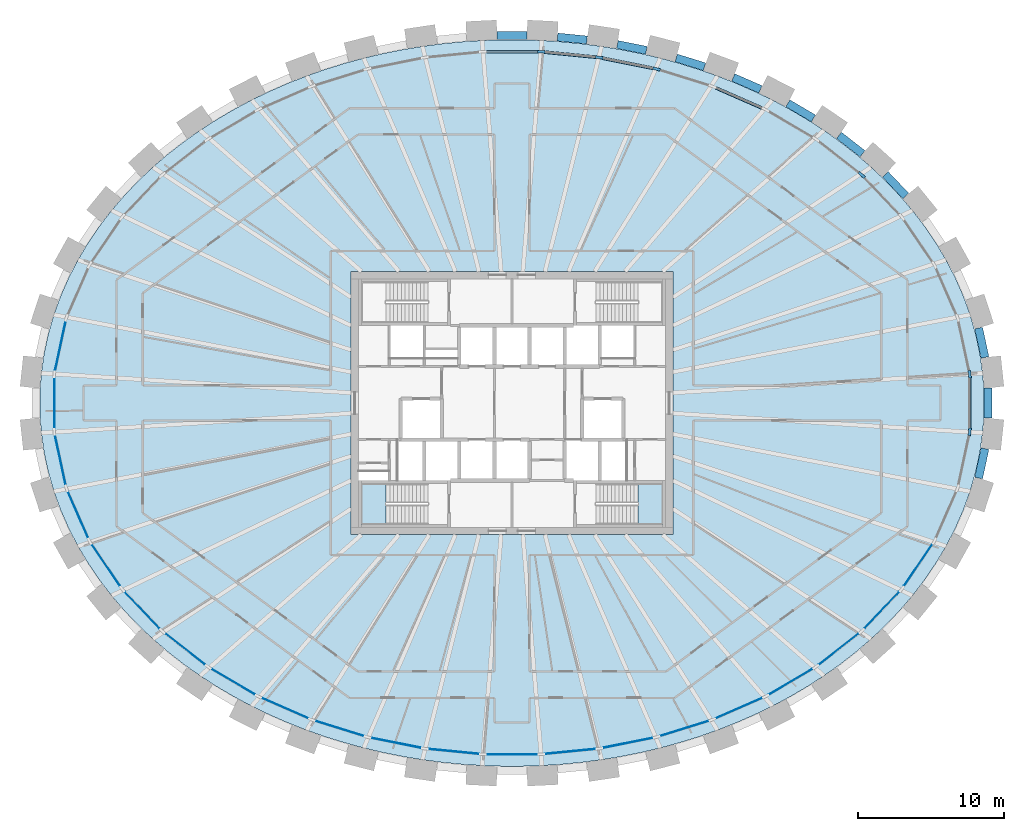
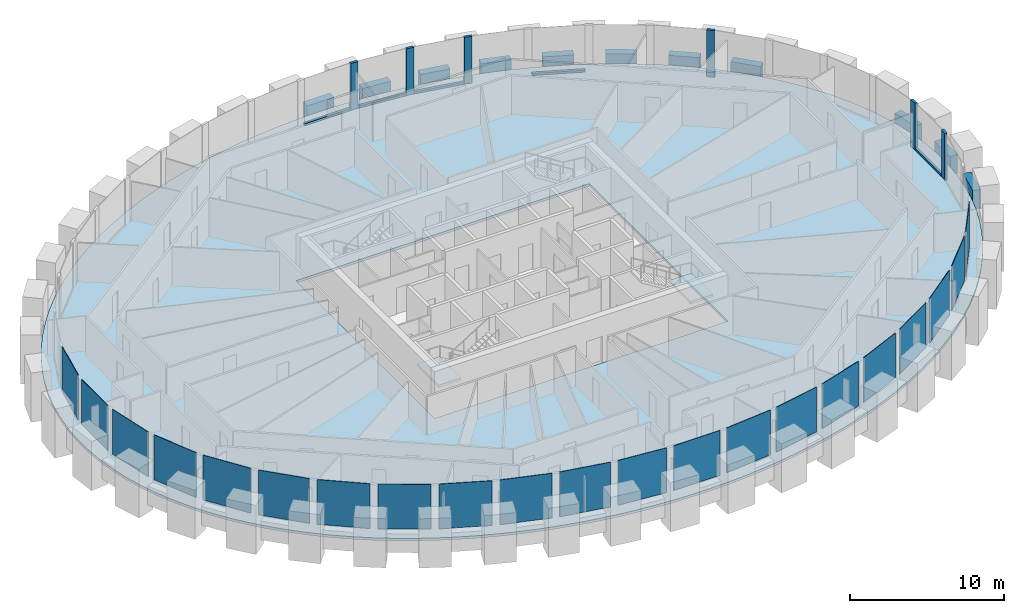
# One storey, part 4 of 12: 21 plates, 11 beams, 11 members, 3 slabs, 3 elements without a shape of their own.
"""IFC4 building model written with IfcOpenShell, lengths in metres."""

from ifc_helpers import new_model, si_unit, direction, frame, origin, origin_2d, place, context, subcontext, project, spatial, polyline, rectangle, outline, extrude, source, transform, mapped, material, layer, layer_set, material_profile, profile_set, type_object, element, aggregate, save


model = new_model("IFC4")

# Units and contexts
model_context = context("Model", 3, precision=1e-05, world=origin(), true_north=direction((0.0, 1.0)))
body_context = subcontext(model_context, "Body", "Model", "MODEL_VIEW")
ifc_project = project(units=[si_unit("LENGTHUNIT", "METRE"), si_unit("AREAUNIT", "SQUARE_METRE"), si_unit("VOLUMEUNIT", "CUBIC_METRE"), si_unit("PLANEANGLEUNIT", "RADIAN"), si_unit("MASSUNIT", "GRAM", prefix="KILO")], contexts=[model_context])

# Site, building, storey
site_placement = place(None, origin())
site = spatial("IfcSite", under=ifc_project, at=site_placement, CompositionType="ELEMENT")
building_placement = place(site_placement, origin())
building = spatial("IfcBuilding", under=site, at=building_placement, Name="Embergate Tower", CompositionType="ELEMENT")
storey_placement = place(building_placement, frame((0.0, 0.0, 265.60009765625)))
storey = spatial("IfcBuildingStorey", under=building, at=storey_placement, Name="L61", CompositionType="ELEMENT", Elevation=265.60009765625)

# Beams
ifc_material_1 = material(Name="Concrete C60", Category="concrete")
ifc_material_profile_1 = material_profile(ifc_material_1, rectangle(XDim=0.550048828125, YDim=1.5, at=origin_2d()), Name="RC 550x1500")
ifc_profile_set_1 = profile_set([ifc_material_profile_1], Name="Concrete C60")
beam_type = type_object("IfcBeamType", Name="Spandrel beam RC 550x1500 C60", PredefinedType="BEAM", material=ifc_profile_set_1)
shared_shape_1 = source(origin(), body_context, "Body", "SweptSolid", [
    extrude(rectangle(XDim=0.550048828125, YDim=1.5, at=origin_2d()), origin(), (0.0, 0.0, 1.0), 2.05810546875),
])
for number, where, z_axis, x_axis, name in (
    (1, (32.343994140625, 3.116943359375, 0.0), (-0.210444450804, 0.977605816843, 0.0), (-0.977605816843, -0.210444450804, 0.0), "SPN-L61-00"),
    (2, (31.910888671875, -5.12890625, 0.0), (0.210444450804, 0.977605816843, 0.0), (-0.977605816843, 0.210444450804, 0.0), "SPN-L61-42"),
    (3, (32.56591796875, -1.029052734375, 0.0), (0.0, 1.0, 0.0), (-1.0, 0.0, 0.0), "SPN-L61-43"),
):
    element("IfcBeam", number, at=place(storey_placement, frame(where, z_axis=z_axis, x_axis=x_axis)), inside=storey, type_object=beam_type, Name=name, PredefinedType="BEAM", context=body_context, shape_type="MappedRepresentation", body=[
        mapped(shared_shape_1, transform((0.0, 0.0, 0.0))),
    ])
shared_shape_2 = source(origin(), body_context, "Body", "SweptSolid", [
    extrude(rectangle(XDim=0.550048828125, YDim=1.5, at=origin_2d()), origin(), (0.0, 0.0, 1.0), 2.042724609375),
])
beam_1_placement = place(storey_placement, frame((26.93505859375, 14.160888671875, 0.0), z_axis=(-0.690299494905, 0.723523743448, 0.0), x_axis=(-0.723523743448, -0.690299494905, 0.0)))
element("IfcBeam", 4, at=beam_1_placement, inside=storey, type_object=beam_type, Name="SPN-L61-03", PredefinedType="BEAM", context=body_context, shape_type="MappedRepresentation", body=[
    mapped(shared_shape_2, transform((0.0, 0.0, 0.0))),
])
shared_shape_3 = source(origin(), body_context, "Body", "SweptSolid", [
    extrude(rectangle(XDim=0.550048828125, YDim=1.5, at=origin_2d()), origin(), (0.0, 0.0, 1.0), 2.038330078125),
])
beam_2_placement = place(storey_placement, frame((23.968994140625, 17.049072265625, 0.0), z_axis=(-0.78838379352, 0.615183707615, 0.0), x_axis=(-0.615183707615, -0.78838379352, 0.0)))
element("IfcBeam", 5, at=beam_2_placement, inside=storey, type_object=beam_type, Name="SPN-L61-04", PredefinedType="BEAM", context=body_context, shape_type="MappedRepresentation", body=[
    mapped(shared_shape_3, transform((0.0, 0.0, 0.0))),
])
shared_shape_4 = source(origin(), body_context, "Body", "SweptSolid", [
    extrude(rectangle(XDim=0.550048828125, YDim=1.5, at=origin_2d()), origin(), (0.0, 0.0, 1.0), 2.0322265625),
])
beam_3_placement = place(storey_placement, frame((20.614013671875, 19.467041015625, 0.0), z_axis=(-0.862048455152, 0.50682586849, 0.0), x_axis=(-0.50682586849, -0.862048455152, 0.0)))
element("IfcBeam", 6, at=beam_3_placement, inside=storey, type_object=beam_type, Name="SPN-L61-05", PredefinedType="BEAM", context=body_context, shape_type="MappedRepresentation", body=[
    mapped(shared_shape_4, transform((0.0, 0.0, 0.0))),
])
shared_shape_5 = source(origin(), body_context, "Body", "SweptSolid", [
    extrude(rectangle(XDim=0.550048828125, YDim=1.5, at=origin_2d()), origin(), (0.0, 0.0, 1.0), 2.03076171875),
])
beam_4_placement = place(storey_placement, frame((16.991943359375, 21.451904296875, 0.0), z_axis=(-0.916361402872, 0.400352069216, 0.0), x_axis=(-0.400352069216, -0.916361402872, 0.0)))
element("IfcBeam", 7, at=beam_4_placement, inside=storey, type_object=beam_type, Name="SPN-L61-06", PredefinedType="BEAM", context=body_context, shape_type="MappedRepresentation", body=[
    mapped(shared_shape_5, transform((0.0, 0.0, 0.0))),
])
shared_shape_6 = source(origin(), body_context, "Body", "SweptSolid", [
    extrude(rectangle(XDim=0.550048828125, YDim=1.5, at=origin_2d()), origin(), (0.0, 0.0, 1.0), 2.02880859375),
])
beam_5_placement = place(storey_placement, frame((13.1640625, 22.9990234375, 0.0), z_axis=(-0.954800624546, 0.297246980417, 0.0), x_axis=(-0.297246980417, -0.954800624546, 0.0)))
element("IfcBeam", 8, at=beam_5_placement, inside=storey, type_object=beam_type, Name="SPN-L61-07", PredefinedType="BEAM", context=body_context, shape_type="MappedRepresentation", body=[
    mapped(shared_shape_6, transform((0.0, 0.0, 0.0))),
])
shared_shape_7 = source(origin(), body_context, "Body", "SweptSolid", [
    extrude(rectangle(XDim=0.550048828125, YDim=1.5, at=origin_2d()), origin(), (0.0, 0.0, 1.0), 2.02734375),
])
beam_6_placement = place(storey_placement, frame((9.19189453125, 24.1220703125, 0.0), z_axis=(-0.980543602706, 0.196301409041, 0.0), x_axis=(-0.196301409041, -0.980543602706, 0.0)))
element("IfcBeam", 9, at=beam_6_placement, inside=storey, type_object=beam_type, Name="SPN-L61-08", PredefinedType="BEAM", context=body_context, shape_type="MappedRepresentation", body=[
    mapped(shared_shape_7, transform((0.0, 0.0, 0.0))),
])
shared_shape_8 = source(origin(), body_context, "Body", "SweptSolid", [
    extrude(rectangle(XDim=0.550048828125, YDim=1.5, at=origin_2d()), origin(), (0.0, 0.0, 1.0), 2.025634765625),
])
beam_7_placement = place(storey_placement, frame((5.126953125, 24.830078125, 0.0), z_axis=(-0.995211067802, 0.097749324935, 0.0), x_axis=(-0.097749324935, -0.995211067802, 0.0)))
element("IfcBeam", 10, at=beam_7_placement, inside=storey, type_object=beam_type, Name="SPN-L61-09", PredefinedType="BEAM", context=body_context, shape_type="MappedRepresentation", body=[
    mapped(shared_shape_8, transform((0.0, 0.0, 0.0))),
])
shared_shape_9 = source(origin(), body_context, "Body", "SweptSolid", [
    extrude(rectangle(XDim=0.550048828125, YDim=1.5, at=origin_2d()), origin(), (0.0, 0.0, 1.0), 2.02587890625),
])
beam_8_placement = place(storey_placement, frame((1.012939453125, 25.131103515625, 0.0), z_axis=(-1.0, 0.0, 0.0), x_axis=(0.0, -1.0, 0.0)))
element("IfcBeam", 11, at=beam_8_placement, inside=storey, type_object=beam_type, Name="SPN-L61-10", PredefinedType="BEAM", context=body_context, shape_type="MappedRepresentation", body=[
    mapped(shared_shape_9, transform((0.0, 0.0, 0.0))),
])

# Curtain wall, members
ifc_material_2 = material(Name="Aluminium and glass", Category="aluminium")
curtain_wall_type = type_object("IfcCurtainWallType", Name="Recessed office glazing", PredefinedType="NOTDEFINED", material=ifc_material_2)
curtain_wall_placement = place(storey_placement, origin())
curtain_wall = element("IfcCurtainWall", 12, at=curtain_wall_placement, inside=storey, type_object=curtain_wall_type, Name="Recessed office glazing ring", ObjectType="RECESSED OFFICE GLAZING", PredefinedType="USERDEFINED")
ifc_material_3 = material(Name="Aluminium, thermally broken", Category="aluminium")
ifc_material_profile_2 = material_profile(ifc_material_3, rectangle(XDim=0.179931640625, YDim=0.52001953125, at=origin_2d()), Name="AL 520x180")
ifc_profile_set_2 = profile_set([ifc_material_profile_2], Name="Aluminium, thermally broken")
member_type_1 = type_object("IfcMemberType", Name="Office mullion", PredefinedType="MULLION", material=ifc_profile_set_2)
shared_shape_10 = source(origin(), body_context, "Body", "SweptSolid", [
    extrude(rectangle(XDim=0.179931640625, YDim=0.52001953125, at=origin_2d()), origin(), (0.0, 0.0, 1.0), 3.699951171875),
])
member_1_placement = place(storey_placement, frame((31.301513671875, 1.971435546875, 0.0), z_axis=(0.0, 0.0, 1.0), x_axis=(-0.994384215926, -0.105830199459, 0.0)))
member_1 = element("IfcMember", 13, at=member_1_placement, type_object=member_type_1, Name="CW mullion 1", PredefinedType="MULLION", context=body_context, shape_type="MappedRepresentation", body=[
    mapped(shared_shape_10, transform((0.0, 0.0, 0.0))),
])
member_2_placement = place(storey_placement, frame((23.9169921875, 15.595703125, 0.0), z_axis=(0.0, 0.0, 1.0), x_axis=(-0.671216184057, -0.741261650337, 0.0)))
member_2 = element("IfcMember", 14, at=member_2_placement, type_object=member_type_1, Name="CW mullion 5", PredefinedType="MULLION", context=body_context, shape_type="MappedRepresentation", body=[
    mapped(shared_shape_10, transform((0.0, 0.0, 0.0))),
])
member_3_placement = place(storey_placement, frame((9.885986328125, 22.844482421875, 0.0), z_axis=(0.0, 0.0, 1.0), x_axis=(-0.24730680803, -0.968937223303, 0.0)))
member_3 = element("IfcMember", 15, at=member_3_placement, type_object=member_type_1, Name="CW mullion 9", PredefinedType="MULLION", context=body_context, shape_type="MappedRepresentation", body=[
    mapped(shared_shape_10, transform((0.0, 0.0, 0.0))),
])
member_4_placement = place(storey_placement, frame((5.9716796875, 23.629638671875, 0.0), z_axis=(0.0, 0.0, 1.0), x_axis=(-0.147408930294, -0.989075632735, 0.0)))
member_4 = element("IfcMember", 16, at=member_4_placement, type_object=member_type_1, Name="CW mullion 10", PredefinedType="MULLION", context=body_context, shape_type="MappedRepresentation", body=[
    mapped(shared_shape_10, transform((0.0, 0.0, 0.0))),
])
member_5_placement = place(storey_placement, frame((1.9970703125, 24.020263671875, 0.0), z_axis=(0.0, 0.0, 1.0), x_axis=(-0.048970053385, -0.998800247232, 0.0)))
member_5 = element("IfcMember", 17, at=member_5_placement, type_object=member_type_1, Name="CW mullion 11", PredefinedType="MULLION", context=body_context, shape_type="MappedRepresentation", body=[
    mapped(shared_shape_10, transform((0.0, 0.0, 0.0))),
])
member_6_placement = place(storey_placement, frame((31.301513671875, -1.971435546875, 0.0), z_axis=(0.0, 0.0, 1.0), x_axis=(-0.994384215926, 0.105830199459, 0.0)))
member_6 = element("IfcMember", 18, at=member_6_placement, type_object=member_type_1, Name="CW mullion 44", PredefinedType="MULLION", context=body_context, shape_type="MappedRepresentation", body=[
    mapped(shared_shape_10, transform((0.0, 0.0, 0.0))),
])
ifc_material_profile_3 = material_profile(ifc_material_3, rectangle(XDim=0.179931640625, YDim=0.14990234375, at=origin_2d()), Name="AL 150x180")
ifc_profile_set_3 = profile_set([ifc_material_profile_3], Name="Aluminium, thermally broken")
member_type_2 = type_object("IfcMemberType", Name="Office sill transom", PredefinedType="USERDEFINED", material=ifc_profile_set_3)
shared_shape_11 = source(origin(), body_context, "Body", "SweptSolid", [
    extrude(rectangle(XDim=0.179931640625, YDim=0.14990234375, at=origin_2d()), origin(), (0.0, 0.0, 1.0), 3.467041015625),
])
member_7_placement = place(storey_placement, frame((17.110595703125, 20.164794921875, 0.074951171875), z_axis=(-0.916217122843, 0.400682148104, 0.0), x_axis=(-0.400682148104, -0.916217122843, 0.0)))
member_7 = element("IfcMember", 19, at=member_7_placement, type_object=member_type_2, Name="CW transom 7.1", ObjectType="TRANSOM", PredefinedType="USERDEFINED", context=body_context, shape_type="MappedRepresentation", body=[
    mapped(shared_shape_11, transform((0.0, 0.0, 0.0))),
])
shared_shape_12 = source(origin(), body_context, "Body", "SweptSolid", [
    extrude(rectangle(XDim=0.179931640625, YDim=0.14990234375, at=origin_2d()), origin(), (0.0, 0.0, 1.0), 3.472412109375),
])
member_8_placement = place(storey_placement, frame((9.631103515625, 22.8955078125, 0.074951171875), z_axis=(-0.980472357372, 0.196656951134, 0.0), x_axis=(-0.196656951134, -0.980472357372, 0.0)))
member_8 = element("IfcMember", 20, at=member_8_placement, type_object=member_type_2, Name="CW transom 9.1", ObjectType="TRANSOM", PredefinedType="USERDEFINED", context=body_context, shape_type="MappedRepresentation", body=[
    mapped(shared_shape_12, transform((0.0, 0.0, 0.0))),
])
shared_shape_13 = source(origin(), body_context, "Body", "SweptSolid", [
    extrude(rectangle(XDim=0.179931640625, YDim=0.14990234375, at=origin_2d()), origin(), (0.0, 0.0, 1.0), 3.4736328125),
])
member_9_placement = place(storey_placement, frame((5.712890625, 23.655029296875, 0.074951171875), z_axis=(-0.99520279702, 0.0978334953, 0.0), x_axis=(-0.0978334953, -0.99520279702, 0.0)))
member_9 = element("IfcMember", 21, at=member_9_placement, type_object=member_type_2, Name="CW transom 10.1", ObjectType="TRANSOM", PredefinedType="USERDEFINED", context=body_context, shape_type="MappedRepresentation", body=[
    mapped(shared_shape_13, transform((0.0, 0.0, 0.0))),
])
shared_shape_14 = source(origin(), body_context, "Body", "SweptSolid", [
    extrude(rectangle(XDim=0.179931640625, YDim=0.14990234375, at=origin_2d()), origin(), (0.0, 0.0, 1.0), 3.47412109375),
])
member_10_placement = place(storey_placement, frame((1.737060546875, 24.020263671875, 0.074951171875), z_axis=(-1.0, 0.0, 0.0), x_axis=(0.0, -1.0, 0.0)))
member_10 = element("IfcMember", 22, at=member_10_placement, type_object=member_type_2, Name="CW transom 11.1", ObjectType="TRANSOM", PredefinedType="USERDEFINED", context=body_context, shape_type="MappedRepresentation", body=[
    mapped(shared_shape_14, transform((0.0, 0.0, 0.0))),
])
shared_shape_15 = source(origin(), body_context, "Body", "SweptSolid", [
    extrude(rectangle(XDim=0.179931640625, YDim=0.14990234375, at=origin_2d()), origin(), (0.0, 0.0, 1.0), 3.4228515625),
])
member_11_placement = place(storey_placement, frame((31.301513671875, -1.71142578125, 0.074951171875), z_axis=(0.0, 1.0, 0.0), x_axis=(-1.0, 0.0, 0.0)))
member_11 = element("IfcMember", 23, at=member_11_placement, type_object=member_type_2, Name="CW transom 44.1", ObjectType="TRANSOM", PredefinedType="USERDEFINED", context=body_context, shape_type="MappedRepresentation", body=[
    mapped(shared_shape_15, transform((0.0, 0.0, 0.0))),
])

# Slab
ifc_material_4 = material(Name="Concrete C40", Category="concrete")
ifc_layer_1 = layer(ifc_material_4, 0.199951171875)
ifc_layer_set_1 = layer_set([ifc_layer_1], Name="Concrete C40")
slab_type_1 = type_object("IfcSlabType", Name="Composite floor slab C40 200", PredefinedType="FLOOR", material=ifc_layer_set_1)
shared_shape_16 = source(origin(), body_context, "Body", "SweptSolid", [
    extrude(outline(polyline([(0.0, 0.0), (1.3662109375, 0.0), (2.731201171875, 0.044189453125), (4.09716796875, 0.133056640625), (5.4560546875, 0.26708984375), (6.80712890625, 0.445068359375), (8.16015625, 0.669189453125), (9.5, 0.93798828125), (10.822998046875, 1.25), (12.149169921875, 1.612060546875), (13.453125, 2.01806640625), (14.734130859375, 2.468017578125), (16.01611328125, 2.97216796875), (17.26708984375, 3.51904296875), (18.486083984375, 4.109130859375), (19.703125, 4.759033203125), (20.881103515625, 5.451171875), (22.01611328125, 6.18408203125), (23.14306640625, 6.984130859375), (24.22021484375, 7.8251953125), (25.244140625, 8.703125), (26.248046875, 9.655029296875), (27.191162109375, 10.64306640625), (28.069091796875, 11.666015625), (28.9111328125, 12.76318359375), (29.67822265625, 13.89208984375), (30.3701171875, 15.050048828125), (31.003173828125, 16.276123046875), (31.552001953125, 17.526123046875), (32.01318359375, 18.796142578125), (32.39404296875, 20.1171875), (32.68115234375, 21.451171875), (32.873046875, 22.795166015625), (32.97119140625, 24.158203125), (32.97119140625, 25.52197265625), (32.873046875, 26.885009765625), (32.68115234375, 28.22900390625), (32.39404296875, 29.56298828125), (32.01318359375, 30.884033203125), (31.552001953125, 32.154052734375), (31.003173828125, 33.404052734375), (30.3701171875, 34.630126953125), (29.67822265625, 35.7880859375), (28.9111328125, 36.9169921875), (28.069091796875, 38.01416015625), (27.191162109375, 39.037109375), (26.248046875, 40.025146484375), (25.244140625, 40.97705078125), (24.22021484375, 41.85498046875), (23.14306640625, 42.696044921875), (22.01611328125, 43.49609375), (20.881103515625, 44.22900390625), (19.703125, 44.921142578125), (18.486083984375, 45.571044921875), (17.26708984375, 46.1611328125), (16.01611328125, 46.7080078125), (14.734130859375, 47.212158203125), (13.453125, 47.662109375), (12.149169921875, 48.068115234375), (10.822998046875, 48.43017578125), (9.5, 48.7421875), (8.16015625, 49.010986328125), (6.80712890625, 49.235107421875), (5.4560546875, 49.4130859375), (4.09716796875, 49.547119140625), (2.731201171875, 49.635986328125), (1.3662109375, 49.68017578125), (0.0, 49.68017578125), (-1.364990234375, 49.635986328125), (-2.73095703125, 49.547119140625), (-4.08984375, 49.4130859375), (-5.44091796875, 49.235107421875), (-6.7939453125, 49.010986328125), (-8.1337890625, 48.7421875), (-9.456787109375, 48.43017578125), (-10.782958984375, 48.068115234375), (-12.0869140625, 47.662109375), (-13.367919921875, 47.212158203125), (-14.64990234375, 46.7080078125), (-15.90087890625, 46.1611328125), (-17.119873046875, 45.571044921875), (-18.3369140625, 44.921142578125), (-19.514892578125, 44.22900390625), (-20.64990234375, 43.49609375), (-21.77685546875, 42.696044921875), (-22.85400390625, 41.85498046875), (-23.8779296875, 40.97705078125), (-24.8818359375, 40.025146484375), (-25.824951171875, 39.037109375), (-26.702880859375, 38.01416015625), (-27.544921875, 36.9169921875), (-28.31201171875, 35.7880859375), (-29.00390625, 34.630126953125), (-29.636962890625, 33.404052734375), (-30.185791015625, 32.154052734375), (-30.64697265625, 30.884033203125), (-31.02783203125, 29.56298828125), (-31.31494140625, 28.22900390625), (-31.5068359375, 26.885009765625), (-31.60498046875, 25.52197265625), (-31.60498046875, 24.158203125), (-31.5068359375, 22.795166015625), (-31.31494140625, 21.451171875), (-31.02783203125, 20.1171875), (-30.64697265625, 18.796142578125), (-30.185791015625, 17.526123046875), (-29.636962890625, 16.276123046875), (-29.00390625, 15.050048828125), (-28.31201171875, 13.89208984375), (-27.544921875, 12.76318359375), (-26.702880859375, 11.666015625), (-25.824951171875, 10.64306640625), (-24.8818359375, 9.655029296875), (-23.8779296875, 8.703125), (-22.85400390625, 7.8251953125), (-21.77685546875, 6.984130859375), (-20.64990234375, 6.18408203125), (-19.514892578125, 5.451171875), (-18.3369140625, 4.759033203125), (-17.119873046875, 4.109130859375), (-15.90087890625, 3.51904296875), (-14.64990234375, 2.97216796875), (-13.367919921875, 2.468017578125), (-12.0869140625, 2.01806640625), (-10.782958984375, 1.612060546875), (-9.456787109375, 1.25), (-8.1337890625, 0.93798828125), (-6.7939453125, 0.669189453125), (-5.44091796875, 0.445068359375), (-4.08984375, 0.26708984375), (-2.73095703125, 0.133056640625), (-1.364990234375, 0.044189453125), (0.0, 0.0)]), holes=[polyline([(-10.31689453125, 15.840087890625), (-10.31689453125, 33.840087890625), (11.68310546875, 33.840087890625), (11.68310546875, 15.840087890625), (-10.31689453125, 15.840087890625)])]), origin(), (0.0, 0.0, 1.0), 0.2001953125),
])
slab_1_placement = place(storey_placement, frame((-0.68310546875, -24.840087890625, -0.2001953125)))
element("IfcSlab", 24, at=slab_1_placement, inside=storey, type_object=slab_type_1, Name="SLB-L61-00", PredefinedType="FLOOR", context=body_context, shape_type="MappedRepresentation", body=[
    mapped(shared_shape_16, transform((0.0, 0.0, 0.0))),
])

# Plate
ifc_material_5 = material(Name="Triple glazing, low-emissivity coating", Category="glass")
ifc_layer_2 = layer(ifc_material_5, 0.035888671875)
ifc_layer_set_2 = layer_set([ifc_layer_2], Name="Triple glazing, low-emissivity coating")
plate_type = type_object("IfcPlateType", Name="Office glazing unit", PredefinedType="CURTAIN_PANEL", material=ifc_layer_set_2)
shared_shape_17 = source(origin(), body_context, "Body", "SweptSolid", [
    extrude(rectangle(XDim=3.42529296875, YDim=0.035888671875, at=origin_2d()), origin(), (0.0, 0.0, 1.0), 3.550048828125),
])
plate_1_placement = place(storey_placement, frame((-30.88623046875, 3.89990234375, 0.14990234375), z_axis=(0.0, 0.0, 1.0), x_axis=(-0.210401803698, -0.977614996305, 0.0)))
plate_1 = element("IfcPlate", 25, at=plate_1_placement, type_object=plate_type, Name="CW panel 21.1", PredefinedType="CURTAIN_PANEL", context=body_context, shape_type="MappedRepresentation", body=[
    mapped(shared_shape_17, transform((0.0, 0.0, 0.0))),
])

plate_2_placement = place(storey_placement, frame((-30.88623046875, -3.89990234375, 0.14990234375), z_axis=(0.0, 0.0, 1.0), x_axis=(0.210401803698, -0.977614996305, 0.0)))
plate_2 = element("IfcPlate", 26, at=plate_2_placement, type_object=plate_type, Name="CW panel 23.1", PredefinedType="CURTAIN_PANEL", context=body_context, shape_type="MappedRepresentation", body=[
    mapped(shared_shape_17, transform((0.0, 0.0, 0.0))),
])

shared_shape_18 = source(origin(), body_context, "Body", "SweptSolid", [
    extrude(rectangle(XDim=3.43212890625, YDim=0.035888671875, at=origin_2d()), origin(), (0.0, 0.0, 1.0), 3.550048828125),
])
plate_3_placement = place(storey_placement, frame((-29.677490234375, -7.63818359375, 0.14990234375), z_axis=(0.0, 0.0, 1.0), x_axis=(0.401658494584, -0.915789524797, 0.0)))
plate_3 = element("IfcPlate", 27, at=plate_3_placement, type_object=plate_type, Name="CW panel 24.1", PredefinedType="CURTAIN_PANEL", context=body_context, shape_type="MappedRepresentation", body=[
    mapped(shared_shape_18, transform((0.0, 0.0, 0.0))),
])

shared_shape_19 = source(origin(), body_context, "Body", "SweptSolid", [
    extrude(rectangle(XDim=3.44091796875, YDim=0.035888671875, at=origin_2d()), origin(), (0.0, 0.0, 1.0), 3.550048828125),
])
plate_4_placement = place(storey_placement, frame((-27.77001953125, -11.08544921875, 0.14990234375), z_axis=(0.0, 0.0, 1.0), x_axis=(0.562348958001, -0.826900023845, 0.0)))
plate_4 = element("IfcPlate", 28, at=plate_4_placement, type_object=plate_type, Name="CW panel 25.1", PredefinedType="CURTAIN_PANEL", context=body_context, shape_type="MappedRepresentation", body=[
    mapped(shared_shape_19, transform((0.0, 0.0, 0.0))),
])

plate_5_placement = place(storey_placement, frame((27.77001953125, -11.08544921875, 0.14990234375), z_axis=(0.0, 0.0, 1.0), x_axis=(0.562348958001, 0.826900023845, 0.0)))
plate_5 = element("IfcPlate", 29, at=plate_5_placement, type_object=plate_type, Name="CW panel 41.1", PredefinedType="CURTAIN_PANEL", context=body_context, shape_type="MappedRepresentation", body=[
    mapped(shared_shape_19, transform((0.0, 0.0, 0.0))),
])

shared_shape_20 = source(origin(), body_context, "Body", "SweptSolid", [
    extrude(rectangle(XDim=3.44921875, YDim=0.035888671875, at=origin_2d()), origin(), (0.0, 0.0, 1.0), 3.550048828125),
])
plate_6_placement = place(storey_placement, frame((-25.28662109375, -14.1591796875, 0.14990234375), z_axis=(0.0, 0.0, 1.0), x_axis=(0.6901388367, -0.723676990154, 0.0)))
plate_6 = element("IfcPlate", 30, at=plate_6_placement, type_object=plate_type, Name="CW panel 26.1", PredefinedType="CURTAIN_PANEL", context=body_context, shape_type="MappedRepresentation", body=[
    mapped(shared_shape_20, transform((0.0, 0.0, 0.0))),
])

plate_7_placement = place(storey_placement, frame((25.28662109375, -14.1591796875, 0.14990234375), z_axis=(0.0, 0.0, 1.0), x_axis=(0.6901388367, 0.723676990154, 0.0)))
plate_7 = element("IfcPlate", 31, at=plate_7_placement, type_object=plate_type, Name="CW panel 40.1", PredefinedType="CURTAIN_PANEL", context=body_context, shape_type="MappedRepresentation", body=[
    mapped(shared_shape_20, transform((0.0, 0.0, 0.0))),
])

shared_shape_21 = source(origin(), body_context, "Body", "SweptSolid", [
    extrude(rectangle(XDim=3.456787109375, YDim=0.035888671875, at=origin_2d()), origin(), (0.0, 0.0, 1.0), 3.550048828125),
])
plate_8_placement = place(storey_placement, frame((-22.349609375, -16.81884765625, 0.14990234375), z_axis=(0.0, 0.0, 1.0), x_axis=(0.788323340765, -0.615261172515, 0.0)))
plate_8 = element("IfcPlate", 32, at=plate_8_placement, type_object=plate_type, Name="CW panel 27.1", PredefinedType="CURTAIN_PANEL", context=body_context, shape_type="MappedRepresentation", body=[
    mapped(shared_shape_21, transform((0.0, 0.0, 0.0))),
])

plate_9_placement = place(storey_placement, frame((22.349609375, -16.81884765625, 0.14990234375), z_axis=(0.0, 0.0, 1.0), x_axis=(0.788323340765, 0.615261172515, 0.0)))
plate_9 = element("IfcPlate", 33, at=plate_9_placement, type_object=plate_type, Name="CW panel 39.1", PredefinedType="CURTAIN_PANEL", context=body_context, shape_type="MappedRepresentation", body=[
    mapped(shared_shape_21, transform((0.0, 0.0, 0.0))),
])

shared_shape_22 = source(origin(), body_context, "Body", "SweptSolid", [
    extrude(rectangle(XDim=3.462646484375, YDim=0.035888671875, at=origin_2d()), origin(), (0.0, 0.0, 1.0), 3.550048828125),
])
plate_10_placement = place(storey_placement, frame((-19.0654296875, -19.051513671875, 0.14990234375), z_axis=(0.0, 0.0, 1.0), x_axis=(0.862054936934, -0.506814843614, 0.0)))
plate_10 = element("IfcPlate", 34, at=plate_10_placement, type_object=plate_type, Name="CW panel 28.1", PredefinedType="CURTAIN_PANEL", context=body_context, shape_type="MappedRepresentation", body=[
    mapped(shared_shape_22, transform((0.0, 0.0, 0.0))),
])

plate_11_placement = place(storey_placement, frame((19.0654296875, -19.051513671875, 0.14990234375), z_axis=(0.0, 0.0, 1.0), x_axis=(0.862054936934, 0.506814843614, 0.0)))
plate_11 = element("IfcPlate", 35, at=plate_11_placement, type_object=plate_type, Name="CW panel 38.1", PredefinedType="CURTAIN_PANEL", context=body_context, shape_type="MappedRepresentation", body=[
    mapped(shared_shape_22, transform((0.0, 0.0, 0.0))),
])

shared_shape_23 = source(origin(), body_context, "Body", "SweptSolid", [
    extrude(rectangle(XDim=3.467041015625, YDim=0.035888671875, at=origin_2d()), origin(), (0.0, 0.0, 1.0), 3.550048828125),
])
plate_12_placement = place(storey_placement, frame((-15.5224609375, -20.859375, 0.14990234375), z_axis=(0.0, 0.0, 1.0), x_axis=(0.916237610228, -0.400635297502, 0.0)))
plate_12 = element("IfcPlate", 36, at=plate_12_placement, type_object=plate_type, Name="CW panel 29.1", PredefinedType="CURTAIN_PANEL", context=body_context, shape_type="MappedRepresentation", body=[
    mapped(shared_shape_23, transform((0.0, 0.0, 0.0))),
])

plate_13_placement = place(storey_placement, frame((15.5224609375, -20.859375, 0.14990234375), z_axis=(0.0, 0.0, 1.0), x_axis=(0.916237610228, 0.400635297502, 0.0)))
plate_13 = element("IfcPlate", 37, at=plate_13_placement, type_object=plate_type, Name="CW panel 37.1", PredefinedType="CURTAIN_PANEL", context=body_context, shape_type="MappedRepresentation", body=[
    mapped(shared_shape_23, transform((0.0, 0.0, 0.0))),
])

shared_shape_24 = source(origin(), body_context, "Body", "SweptSolid", [
    extrude(rectangle(XDim=3.47021484375, YDim=0.035888671875, at=origin_2d()), origin(), (0.0, 0.0, 1.0), 3.550048828125),
])
plate_14_placement = place(storey_placement, frame((-11.791015625, -22.251220703125, 0.14990234375), z_axis=(0.0, 0.0, 1.0), x_axis=(0.954772736126, -0.297336547283, 0.0)))
plate_14 = element("IfcPlate", 38, at=plate_14_placement, type_object=plate_type, Name="CW panel 30.1", PredefinedType="CURTAIN_PANEL", context=body_context, shape_type="MappedRepresentation", body=[
    mapped(shared_shape_24, transform((0.0, 0.0, 0.0))),
])

plate_15_placement = place(storey_placement, frame((11.791015625, -22.251220703125, 0.14990234375), z_axis=(0.0, 0.0, 1.0), x_axis=(0.954772736126, 0.297336547283, 0.0)))
plate_15 = element("IfcPlate", 39, at=plate_15_placement, type_object=plate_type, Name="CW panel 36.1", PredefinedType="CURTAIN_PANEL", context=body_context, shape_type="MappedRepresentation", body=[
    mapped(shared_shape_24, transform((0.0, 0.0, 0.0))),
])

shared_shape_25 = source(origin(), body_context, "Body", "SweptSolid", [
    extrude(rectangle(XDim=3.472412109375, YDim=0.035888671875, at=origin_2d()), origin(), (0.0, 0.0, 1.0), 3.550048828125),
])
plate_16_placement = place(storey_placement, frame((-7.928955078125, -23.237060546875, 0.14990234375), z_axis=(0.0, 0.0, 1.0), x_axis=(0.980476250608, -0.196637539636, 0.0)))
plate_16 = element("IfcPlate", 40, at=plate_16_placement, type_object=plate_type, Name="CW panel 31.1", PredefinedType="CURTAIN_PANEL", context=body_context, shape_type="MappedRepresentation", body=[
    mapped(shared_shape_25, transform((0.0, 0.0, 0.0))),
])

plate_17_placement = place(storey_placement, frame((7.928955078125, -23.237060546875, 0.14990234375), z_axis=(0.0, 0.0, 1.0), x_axis=(0.980476250608, 0.196637539636, 0.0)))
plate_17 = element("IfcPlate", 41, at=plate_17_placement, type_object=plate_type, Name="CW panel 35.1", PredefinedType="CURTAIN_PANEL", context=body_context, shape_type="MappedRepresentation", body=[
    mapped(shared_shape_25, transform((0.0, 0.0, 0.0))),
])

shared_shape_26 = source(origin(), body_context, "Body", "SweptSolid", [
    extrude(rectangle(XDim=3.4736328125, YDim=0.035888671875, at=origin_2d()), origin(), (0.0, 0.0, 1.0), 3.550048828125),
])
plate_18_placement = place(storey_placement, frame((-3.984375, -23.824951171875, 0.14990234375), z_axis=(0.0, 0.0, 1.0), x_axis=(0.995203355531, -0.09782781373, 0.0)))
plate_18 = element("IfcPlate", 42, at=plate_18_placement, type_object=plate_type, Name="CW panel 32.1", PredefinedType="CURTAIN_PANEL", context=body_context, shape_type="MappedRepresentation", body=[
    mapped(shared_shape_26, transform((0.0, 0.0, 0.0))),
])

plate_19_placement = place(storey_placement, frame((3.984375, -23.824951171875, 0.14990234375), z_axis=(0.0, 0.0, 1.0), x_axis=(0.995203355531, 0.09782781373, 0.0)))
plate_19 = element("IfcPlate", 43, at=plate_19_placement, type_object=plate_type, Name="CW panel 34.1", PredefinedType="CURTAIN_PANEL", context=body_context, shape_type="MappedRepresentation", body=[
    mapped(shared_shape_26, transform((0.0, 0.0, 0.0))),
])

shared_shape_27 = source(origin(), body_context, "Body", "SweptSolid", [
    extrude(rectangle(XDim=3.47412109375, YDim=0.035888671875, at=origin_2d()), origin(), (0.0, 0.0, 1.0), 3.550048828125),
])
plate_20_placement = place(storey_placement, frame((0.0, -24.020263671875, 0.14990234375), z_axis=(0.0, 0.0, 1.0), x_axis=(1.0, 0.0, 0.0)))
plate_20 = element("IfcPlate", 44, at=plate_20_placement, type_object=plate_type, Name="CW panel 33.1", PredefinedType="CURTAIN_PANEL", context=body_context, shape_type="MappedRepresentation", body=[
    mapped(shared_shape_27, transform((0.0, 0.0, 0.0))),
])

shared_shape_28 = source(origin(), body_context, "Body", "SweptSolid", [
    extrude(rectangle(XDim=3.4228515625, YDim=0.035888671875, at=origin_2d()), origin(), (0.0, 0.0, 1.0), 3.550048828125),
])
plate_21_placement = place(storey_placement, frame((-31.301513671875, 0.0, 0.14990234375), z_axis=(0.0, 0.0, 1.0), x_axis=(0.0, -1.0, 0.0)))
plate_21 = element("IfcPlate", 45, at=plate_21_placement, type_object=plate_type, Name="CW panel 22.1", PredefinedType="CURTAIN_PANEL", context=body_context, shape_type="MappedRepresentation", body=[
    mapped(shared_shape_28, transform((0.0, 0.0, 0.0))),
])

aggregate(curtain_wall, [member_1, member_2, member_3, member_4, member_5, member_6, member_7, member_8, member_9, member_10, plate_1, plate_21, plate_2, plate_3, plate_4, plate_6, plate_8, plate_10, plate_12, plate_14, plate_16, plate_18, plate_20, plate_19, plate_17, plate_15, plate_13, plate_11, plate_9, plate_7, plate_5, member_11])

# Stair, slab
ifc_material_6 = material(Name="Exit stair")
stair_type = type_object("IfcStairType", Name="Exit stair", PredefinedType="HALF_TURN_STAIR", material=ifc_material_6)
stair_1_placement = place(storey_placement, origin())
stair_1 = element("IfcStair", 46, at=stair_1_placement, inside=storey, type_object=stair_type, Name="L61 Exit stair 3", PredefinedType="HALF_TURN_STAIR")
ifc_layer_3 = layer(ifc_material_4, 0.199951171875)
ifc_layer_set_3 = layer_set([ifc_layer_3], Name="Concrete C40")
slab_type_2 = type_object("IfcSlabType", Name="Stair landing reinforced concrete", PredefinedType="LANDING", material=ifc_layer_set_3)
shared_shape_29 = source(origin(), body_context, "Body", "SweptSolid", [
    extrude(outline(polyline([(0.0, 0.0), (1.68994140625, 0.0), (1.68994140625, 2.800048828125), (0.0, 2.800048828125), (0.0, 0.0)])), origin(), (0.0, 0.0, 1.0), 0.199951171875),
])
slab_2_placement = place(storey_placement, frame((-10.300048828125, -8.300048828125, 1.75)))
slab_2 = element("IfcSlab", 47, at=slab_2_placement, type_object=slab_type_2, Name="ST3 landing 1", PredefinedType="LANDING", context=body_context, shape_type="MappedRepresentation", body=[
    mapped(shared_shape_29, transform((0.0, 0.0, 0.0))),
])
aggregate(stair_1, [slab_2])

stair_2_placement = place(storey_placement, origin())
stair_2 = element("IfcStair", 48, at=stair_2_placement, inside=storey, type_object=stair_type, Name="L61 Exit stair 4", PredefinedType="HALF_TURN_STAIR")
slab_3_placement = place(storey_placement, frame((8.610107421875, -8.300048828125, 1.75)))
slab_3 = element("IfcSlab", 49, at=slab_3_placement, type_object=slab_type_2, Name="ST4 landing 1", PredefinedType="LANDING", context=body_context, shape_type="MappedRepresentation", body=[
    mapped(shared_shape_29, transform((0.0, 0.0, 0.0))),
])
aggregate(stair_2, [slab_3])

save(model, "model.ifc")
